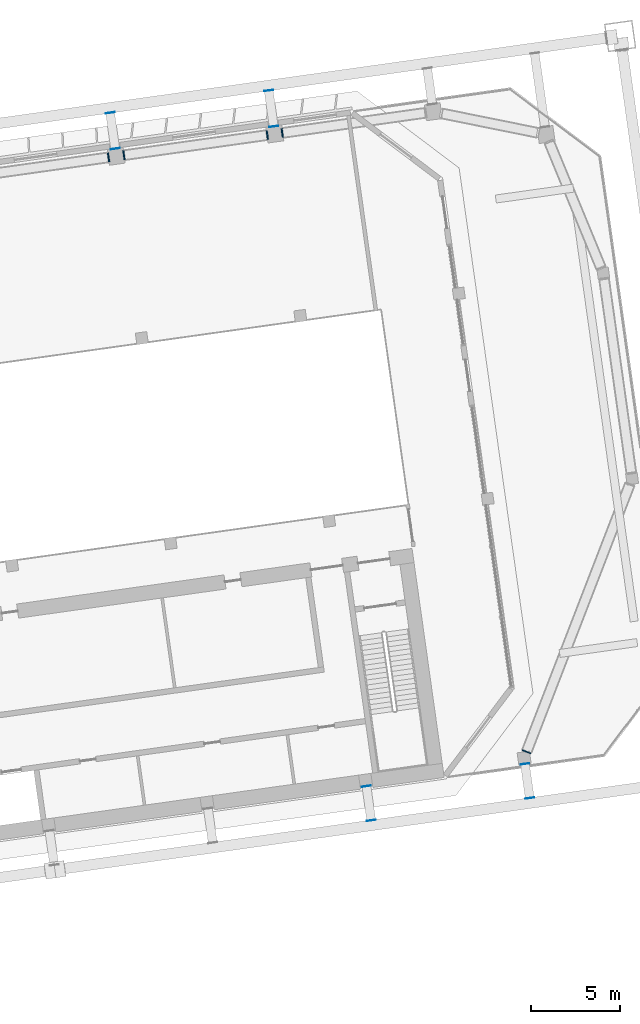
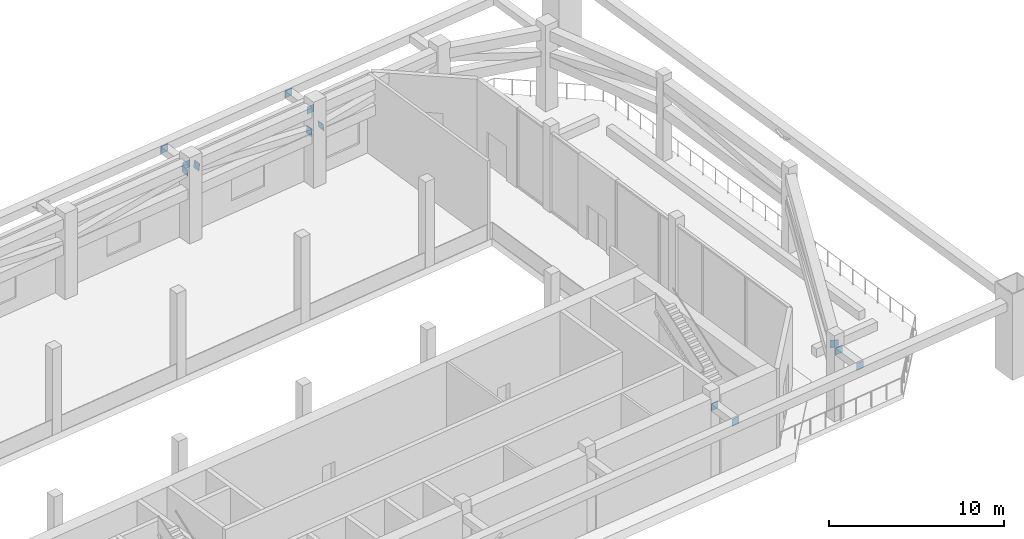
# One storey, part 38 of 41: 13 discrete accessories.
"""IFC4 building model written with IfcOpenShell, lengths in metres."""

from ifc_helpers import new_model, si_unit, direction, frame, origin, origin_2d, place, context, subcontext, project, spatial, rectangle, extrude, material, material_profile, profile_set, type_object, element, save


model = new_model("IFC4")

# Units and contexts
model_context = context("Model", 3, precision=1e-05, world=origin(), true_north=direction((0.0, 1.0)))
body_context = subcontext(model_context, "Body", "Model", "MODEL_VIEW")
ifc_project = project(units=[si_unit("LENGTHUNIT", "METRE"), si_unit("AREAUNIT", "SQUARE_METRE"), si_unit("VOLUMEUNIT", "CUBIC_METRE"), si_unit("PLANEANGLEUNIT", "RADIAN"), si_unit("MASSUNIT", "GRAM", prefix="KILO")], contexts=[model_context])

# Site, building, storey
site_placement = place(None, origin())
site = spatial("IfcSite", under=ifc_project, at=site_placement, CompositionType="ELEMENT")
building_placement = place(site_placement, origin())
building = spatial("IfcBuilding", under=site, at=building_placement, Name="Mirante Cascada Hotel Towers", CompositionType="ELEMENT")
storey_placement = place(building_placement, frame((0.0, 0.0, 92.7)))
storey = spatial("IfcBuildingStorey", under=building, at=storey_placement, Name="L20", CompositionType="ELEMENT", Elevation=92.7)

# Discrete accessories
ifc_material = material(Name="Steel ASTM A572 Gr 50", Category="steel")
ifc_material_profile = material_profile(ifc_material, rectangle(XDim=0.5, YDim=0.5, at=origin_2d()), Name="Connection plate 500x500x25 ASTM A572 Gr 50")
ifc_profile_set = profile_set([ifc_material_profile], Name="Steel ASTM A572 Gr 50")
discrete_accessory_type = type_object("IfcDiscreteAccessoryType", Name="Connection plate 500x500x25 ASTM A572 Gr 50", PredefinedType="BRACKET", material=ifc_profile_set)
for number, where, z_axis, x_axis, name in (
    (1, (71.5841, 22.2736, 4.8483), (0.9807378, 0.1401054, 0.1361024), (-0.1414214, 0.9899495, 0.0), "Connection plate BT20D"),
    (2, (72.4357, 22.3933, 4.8517), (0.9807378, 0.1401054, -0.1361024), (-0.1414214, 0.9899495, 0.0), "Connection plate BT20D"),
    (3, (80.4965, 23.5262, 3.7517), (0.9812804, 0.1361777, -0.1361777), (-0.1374582, 0.9905076, 0.0), "Connection plate BT20D"),
    (4, (81.3481, 23.6459, 3.7483), (0.9812804, 0.1361777, 0.1361777), (-0.1374582, 0.9905076, 0.0), "Connection plate BT20D"),
    (5, (95.0962, -11.1358, 4.8491), (-0.3593881, -0.9304159, 0.0718776), (0.9328287, -0.3603201, 0.0), "Connection plate BT20D"),
    (6, (71.964, 22.7486, 4.85), (-0.1358263, 0.9907327, 0.0), (-0.9907327, -0.1358263, 0.0), "Connection plate TIE"),
):
    element("IfcDiscreteAccessory", number, at=place(storey_placement, frame(where, z_axis=z_axis, x_axis=x_axis)), inside=storey, type_object=discrete_accessory_type, Name=name, PredefinedType="BRACKET", context=body_context, shape_type="SweptSolid", body=[
        extrude(rectangle(XDim=0.5, YDim=0.5, at=origin_2d()), origin(), (0.0, 0.0, 1.0), 0.025),
    ])
for number, where, z_axis, x_axis, name in (
    (7, (71.6801, 24.7688, 4.85), (-0.136366, 0.9906585, 0.0), (-0.9906585, -0.136366, 0.0), "Connection plate TIE"),
    (8, (80.8765, 24.0012, 4.85), (-0.1402989, 0.9901092, 0.0), (-0.9901092, -0.1402989, 0.0), "Connection plate TIE"),
):
    element("IfcDiscreteAccessory", number, at=place(storey_placement, frame(where, z_axis=z_axis, x_axis=x_axis)), inside=storey, type_object=discrete_accessory_type, Name=name, PredefinedType="BRACKET", context=body_context, shape_type="SweptSolid", body=[
        extrude(rectangle(XDim=0.5, YDim=0.5, at=origin_2d()), origin(), (0.0, 0.0, 1.0), 0.0249),
    ])
for number, where, z_axis, x_axis, name in (
    (9, (80.5925, 26.0213, 4.85), (-0.1358263, 0.9907327, 0.0), (-0.9907327, -0.1358263, 0.0), "Connection plate TIE"),
    (10, (86.0864, -13.0695, 4.85), (0.1397442, -0.9901876, 0.0), (0.9901876, 0.1397442, 0.0), "Connection plate TIE"),
    (11, (86.3564, -14.9906, 4.85), (0.1397442, -0.9901876, 0.0), (0.9901876, 0.1397442, 0.0), "Connection plate TIE"),
):
    element("IfcDiscreteAccessory", number, at=place(storey_placement, frame(where, z_axis=z_axis, x_axis=x_axis)), inside=storey, type_object=discrete_accessory_type, Name=name, PredefinedType="BRACKET", context=body_context, shape_type="SweptSolid", body=[
        extrude(rectangle(XDim=0.5, YDim=0.5, at=origin_2d()), origin(), (0.0, 0.0, 1.0), 0.025),
    ])
for number, where, z_axis, x_axis, name in (
    (12, (94.9988, -11.817, 4.85), (0.1402989, -0.9901092, 0.0), (0.9901092, 0.1402989, 0.0), "Connection plate TIE"),
    (13, (95.2688, -13.7381, 4.85), (0.1402989, -0.9901092, 0.0), (0.9901092, 0.1402989, 0.0), "Connection plate TIE"),
):
    element("IfcDiscreteAccessory", number, at=place(storey_placement, frame(where, z_axis=z_axis, x_axis=x_axis)), inside=storey, type_object=discrete_accessory_type, Name=name, PredefinedType="BRACKET", context=body_context, shape_type="SweptSolid", body=[
        extrude(rectangle(XDim=0.5, YDim=0.5, at=origin_2d()), origin(), (0.0, 0.0, 1.0), 0.0249),
    ])

save(model, "model.ifc")
